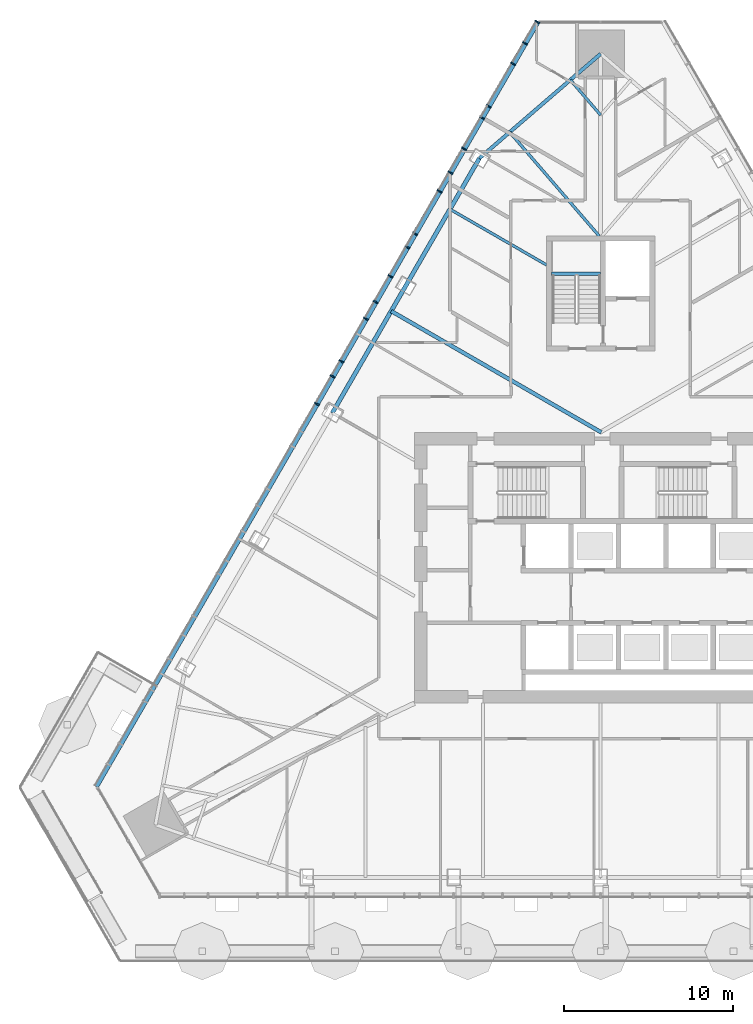
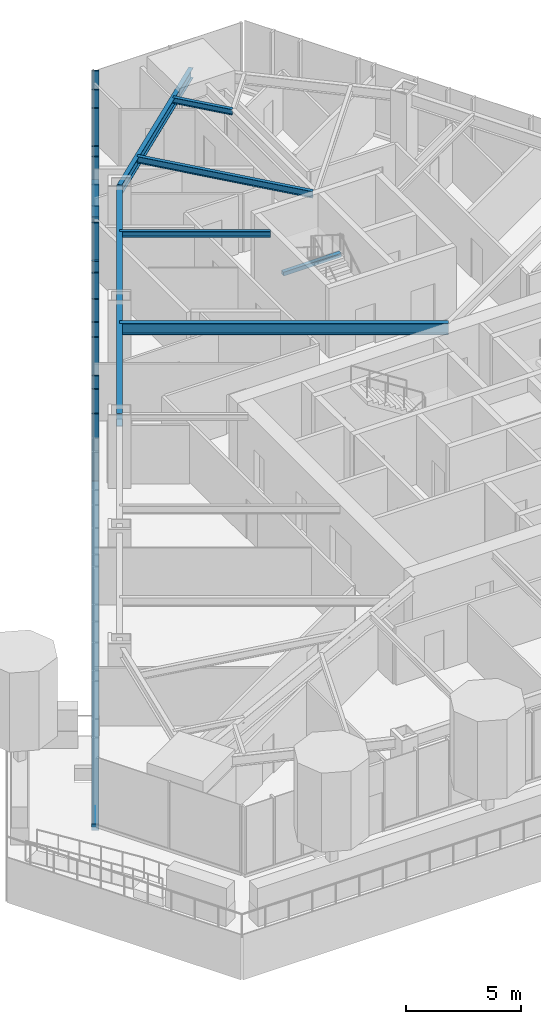
# One storey, part 6 of 24: 18 members, 7 beams, 1 element without a shape of its own.
"""IFC4 building model written with IfcOpenShell, lengths in metres."""

from ifc_helpers import new_model, si_unit, direction, frame, origin, origin_2d, place, context, subcontext, project, spatial, rectangle, i_section, extrude, material, layer, layer_set, material_profile, profile_set, type_object, element, aggregate, save


model = new_model("IFC4")

# Units and contexts
model_context = context("Model", 3, precision=1e-05, world=origin(), true_north=direction((0.0, 1.0)))
body_context = subcontext(model_context, "Body", "Model", "MODEL_VIEW")
ifc_project = project(units=[si_unit("LENGTHUNIT", "METRE"), si_unit("AREAUNIT", "SQUARE_METRE"), si_unit("VOLUMEUNIT", "CUBIC_METRE"), si_unit("PLANEANGLEUNIT", "RADIAN"), si_unit("MASSUNIT", "GRAM", prefix="KILO")], contexts=[model_context])

# Site, building, storey
site_placement = place(None, origin())
site = spatial("IfcSite", under=ifc_project, at=site_placement, CompositionType="ELEMENT")
building_placement = place(site_placement, origin())
building = spatial("IfcBuilding", under=site, at=building_placement, Name="Firuza Gate Tower and Library", CompositionType="ELEMENT")
storey_placement = place(building_placement, frame((0.0, 0.0, 194.800048828125)))
storey = spatial("IfcBuildingStorey", under=building, at=storey_placement, Name="L45", CompositionType="ELEMENT", Elevation=194.800048828125)

# Curtain wall, members
ifc_material_1 = material(Name="Aluminium 6063-T6", Category="aluminium")
ifc_layer = layer(ifc_material_1, 0.14990234375)
ifc_layer_set = layer_set([ifc_layer], Name="Unitised curtain wall, hotel")
curtain_wall_type = type_object("IfcCurtainWallType", Name="Unitised curtain wall, hotel", PredefinedType="NOTDEFINED", material=ifc_layer_set)
curtain_wall_placement = place(storey_placement, origin())
curtain_wall = element("IfcCurtainWall", 1, at=curtain_wall_placement, inside=storey, type_object=curtain_wall_type, Name="CW2 L45 W face", PredefinedType="NOTDEFINED")
ifc_material_2 = material(Name="Aluminium 6063-T6", Category="aluminium")
ifc_material_profile_1 = material_profile(ifc_material_2, rectangle(XDim=0.320068359375, YDim=0.080078125, at=origin_2d()))
ifc_profile_set_1 = profile_set([ifc_material_profile_1], Name="Aluminium 6063-T6")
member_type_1 = type_object("IfcMemberType", Name="Curtain wall mullion 80x320", PredefinedType="MULLION", material=ifc_profile_set_1)
member_1_placement = place(storey_placement, frame((71.26318359375, 107.249755859375, 0.14990234375), z_axis=(0.0, 0.0, 1.0), x_axis=(0.866025403784, -0.5, 0.0)))
member_1 = element("IfcMember", 2, at=member_1_placement, type_object=member_type_1, Name="Mullion", PredefinedType="MULLION", context=body_context, shape_type="SweptSolid", body=[
    extrude(rectangle(XDim=0.320068359375, YDim=0.080078125, at=origin_2d()), origin(), (0.0, 0.0, 1.0), 3.550048828125),
])
member_2_placement = place(storey_placement, frame((69.8330078125, 104.77294921875, 0.14990234375), z_axis=(0.0, 0.0, 1.0), x_axis=(0.866025403784, -0.5, 0.0)))
member_2 = element("IfcMember", 3, at=member_2_placement, type_object=member_type_1, Name="Mullion", PredefinedType="MULLION", context=body_context, shape_type="SweptSolid", body=[
    extrude(rectangle(XDim=0.320068359375, YDim=0.080078125, at=origin_2d()), origin(), (0.0, 0.0, 1.0), 3.550048828125),
])
member_3_placement = place(storey_placement, frame((68.383056640625, 102.26123046875, 0.14990234375), z_axis=(0.0, 0.0, 1.0), x_axis=(0.866025403784, -0.5, 0.0)))
member_3 = element("IfcMember", 4, at=member_3_placement, type_object=member_type_1, Name="Mullion", PredefinedType="MULLION", context=body_context, shape_type="SweptSolid", body=[
    extrude(rectangle(XDim=0.320068359375, YDim=0.080078125, at=origin_2d()), origin(), (0.0, 0.0, 1.0), 3.550048828125),
])
member_4_placement = place(storey_placement, frame((66.932861328125, 99.749755859375, 0.14990234375), z_axis=(0.0, 0.0, 1.0), x_axis=(0.866025403784, -0.5, 0.0)))
member_4 = element("IfcMember", 5, at=member_4_placement, type_object=member_type_1, Name="Mullion", PredefinedType="MULLION", context=body_context, shape_type="SweptSolid", body=[
    extrude(rectangle(XDim=0.320068359375, YDim=0.080078125, at=origin_2d()), origin(), (0.0, 0.0, 1.0), 3.550048828125),
])
member_5_placement = place(storey_placement, frame((65.48291015625, 97.23828125, 0.14990234375), z_axis=(0.0, 0.0, 1.0), x_axis=(0.866025403784, -0.5, 0.0)))
member_5 = element("IfcMember", 6, at=member_5_placement, type_object=member_type_1, Name="Mullion", PredefinedType="MULLION", context=body_context, shape_type="SweptSolid", body=[
    extrude(rectangle(XDim=0.320068359375, YDim=0.080078125, at=origin_2d()), origin(), (0.0, 0.0, 1.0), 3.550048828125),
])
member_6_placement = place(storey_placement, frame((64.032958984375, 94.726806640625, 0.14990234375), z_axis=(0.0, 0.0, 1.0), x_axis=(0.866025403784, -0.5, 0.0)))
member_6 = element("IfcMember", 7, at=member_6_placement, type_object=member_type_1, Name="Mullion", PredefinedType="MULLION", context=body_context, shape_type="SweptSolid", body=[
    extrude(rectangle(XDim=0.320068359375, YDim=0.080078125, at=origin_2d()), origin(), (0.0, 0.0, 1.0), 3.550048828125),
])
member_7_placement = place(storey_placement, frame((62.582763671875, 92.215087890625, 0.14990234375), z_axis=(0.0, 0.0, 1.0), x_axis=(0.866025403784, -0.5, 0.0)))
member_7 = element("IfcMember", 8, at=member_7_placement, type_object=member_type_1, Name="Mullion", PredefinedType="MULLION", context=body_context, shape_type="SweptSolid", body=[
    extrude(rectangle(XDim=0.320068359375, YDim=0.080078125, at=origin_2d()), origin(), (0.0, 0.0, 1.0), 3.550048828125),
])
member_8_placement = place(storey_placement, frame((61.1328125, 89.70361328125, 0.14990234375), z_axis=(0.0, 0.0, 1.0), x_axis=(0.866025403784, -0.5, 0.0)))
member_8 = element("IfcMember", 9, at=member_8_placement, type_object=member_type_1, Name="Mullion", PredefinedType="MULLION", context=body_context, shape_type="SweptSolid", body=[
    extrude(rectangle(XDim=0.320068359375, YDim=0.080078125, at=origin_2d()), origin(), (0.0, 0.0, 1.0), 3.550048828125),
])
member_9_placement = place(storey_placement, frame((59.682861328125, 87.192138671875, 0.14990234375), z_axis=(0.0, 0.0, 1.0), x_axis=(0.866025403784, -0.5, 0.0)))
member_9 = element("IfcMember", 10, at=member_9_placement, type_object=member_type_1, Name="Mullion", PredefinedType="MULLION", context=body_context, shape_type="SweptSolid", body=[
    extrude(rectangle(XDim=0.320068359375, YDim=0.080078125, at=origin_2d()), origin(), (0.0, 0.0, 1.0), 3.550048828125),
])
member_10_placement = place(storey_placement, frame((58.232666015625, 84.6806640625, 0.14990234375), z_axis=(0.0, 0.0, 1.0), x_axis=(0.866025403784, -0.5, 0.0)))
member_10 = element("IfcMember", 11, at=member_10_placement, type_object=member_type_1, Name="Mullion", PredefinedType="MULLION", context=body_context, shape_type="SweptSolid", body=[
    extrude(rectangle(XDim=0.320068359375, YDim=0.080078125, at=origin_2d()), origin(), (0.0, 0.0, 1.0), 3.550048828125),
])
member_11_placement = place(storey_placement, frame((70.532470703125, 105.984375, 0.14990234375), z_axis=(0.0, 0.0, 1.0), x_axis=(0.866025403784, -0.5, 0.0)))
member_11 = element("IfcMember", 12, at=member_11_placement, type_object=member_type_1, Name="Mullion", PredefinedType="MULLION", context=body_context, shape_type="SweptSolid", body=[
    extrude(rectangle(XDim=0.320068359375, YDim=0.080078125, at=origin_2d()), origin(), (0.0, 0.0, 1.0), 3.550048828125),
])
member_12_placement = place(storey_placement, frame((67.99267578125, 101.585205078125, 1.96484375), z_axis=(0.0, 0.0, 1.0), x_axis=(0.866025403784, -0.5, 0.0)))
member_12 = element("IfcMember", 13, at=member_12_placement, type_object=member_type_1, Name="Mullion", PredefinedType="MULLION", context=body_context, shape_type="SweptSolid", body=[
    extrude(rectangle(XDim=0.320068359375, YDim=0.080078125, at=origin_2d()), origin(), (0.0, 0.0, 1.0), 1.735107421875),
])
member_13_placement = place(storey_placement, frame((66.12060546875, 98.3427734375, 0.14990234375), z_axis=(0.0, 0.0, 1.0), x_axis=(0.866025403784, -0.5, 0.0)))
member_13 = element("IfcMember", 14, at=member_13_placement, type_object=member_type_1, Name="Mullion", PredefinedType="MULLION", context=body_context, shape_type="SweptSolid", body=[
    extrude(rectangle(XDim=0.320068359375, YDim=0.080078125, at=origin_2d()), origin(), (0.0, 0.0, 1.0), 3.550048828125),
])
member_14_placement = place(storey_placement, frame((63.58056640625, 93.943359375, 0.14990234375), z_axis=(0.0, 0.0, 1.0), x_axis=(0.866025403784, -0.5, 0.0)))
member_14 = element("IfcMember", 15, at=member_14_placement, type_object=member_type_1, Name="Mullion", PredefinedType="MULLION", context=body_context, shape_type="SweptSolid", body=[
    extrude(rectangle(XDim=0.320068359375, YDim=0.080078125, at=origin_2d()), origin(), (0.0, 0.0, 1.0), 3.550048828125),
])
member_15_placement = place(storey_placement, frame((61.708740234375, 90.701171875, 0.14990234375), z_axis=(0.0, 0.0, 1.0), x_axis=(0.866025403784, -0.5, 0.0)))
member_15 = element("IfcMember", 16, at=member_15_placement, type_object=member_type_1, Name="Mullion", PredefinedType="MULLION", context=body_context, shape_type="SweptSolid", body=[
    extrude(rectangle(XDim=0.320068359375, YDim=0.080078125, at=origin_2d()), origin(), (0.0, 0.0, 1.0), 3.550048828125),
])
member_16_placement = place(storey_placement, frame((59.168701171875, 86.3017578125, 0.14990234375), z_axis=(0.0, 0.0, 1.0), x_axis=(0.866025403784, -0.5, 0.0)))
member_16 = element("IfcMember", 17, at=member_16_placement, type_object=member_type_1, Name="Mullion", PredefinedType="MULLION", context=body_context, shape_type="SweptSolid", body=[
    extrude(rectangle(XDim=0.320068359375, YDim=0.080078125, at=origin_2d()), origin(), (0.0, 0.0, 1.0), 3.550048828125),
])
ifc_material_3 = material(Name="Aluminium 6063-T6", Category="aluminium")
ifc_material_profile_2 = material_profile(ifc_material_3, rectangle(XDim=0.320068359375, YDim=0.35009765625, at=origin_2d()))
ifc_profile_set_2 = profile_set([ifc_material_profile_2], Name="Aluminium 6063-T6")
member_type_2 = type_object("IfcMemberType", Name="Curtain wall transom 350x320", PredefinedType="USERDEFINED", material=ifc_profile_set_2)
member_17_placement = place(storey_placement, frame((71.283203125, 107.284423828125, -0.025146484375), z_axis=(-0.500001660192, -0.86602444527, 0.0), x_axis=(0.86602444527, -0.500001660192, 0.0)))
member_17 = element("IfcMember", 18, at=member_17_placement, type_object=member_type_2, Name="Transom", ObjectType="TRANSOM", PredefinedType="USERDEFINED", context=body_context, shape_type="SweptSolid", body=[
    extrude(rectangle(XDim=0.320068359375, YDim=0.35009765625, at=origin_2d()), origin(), (0.0, 0.0, 1.0), 52.201416015625),
])
ifc_material_4 = material(Name="Aluminium 6063-T6", Category="aluminium")
ifc_material_profile_3 = material_profile(ifc_material_4, rectangle(XDim=0.320068359375, YDim=0.080078125, at=origin_2d()))
ifc_profile_set_3 = profile_set([ifc_material_profile_3], Name="Aluminium 6063-T6")
member_type_3 = type_object("IfcMemberType", Name="Curtain wall transom 80x320", PredefinedType="USERDEFINED", material=ifc_profile_set_3)
member_18_placement = place(storey_placement, frame((68.363037109375, 102.226806640625, 1.925048828125), z_axis=(-0.500012199891, -0.86601836006, 0.0), x_axis=(0.86601836006, -0.500012199891, 0.0)))
member_18 = element("IfcMember", 19, at=member_18_placement, type_object=member_type_3, Name="Transom", ObjectType="TRANSOM", PredefinedType="USERDEFINED", context=body_context, shape_type="SweptSolid", body=[
    extrude(rectangle(XDim=0.320068359375, YDim=0.080078125, at=origin_2d()), origin(), (0.0, 0.0, 1.0), 2.8203125),
])
aggregate(curtain_wall, [member_1, member_2, member_3, member_4, member_5, member_6, member_7, member_8, member_9, member_10, member_17, member_11, member_12, member_18, member_13, member_14, member_15, member_16])

# Beams
ifc_material_5 = material(Name="Concrete C35/45", Category="concrete")
ifc_material_profile_4 = material_profile(ifc_material_5, rectangle(XDim=0.199951171875, YDim=0.199951171875, at=origin_2d()))
ifc_profile_set_4 = profile_set([ifc_material_profile_4], Name="Concrete C35/45")
beam_type_1 = type_object("IfcBeamType", Name="Stair landing bearer 200x200", PredefinedType="BEAM", material=ifc_profile_set_4)
beam_1_placement = place(storey_placement, frame((75.0, 92.3701171875, 1.64990234375), z_axis=(-1.0, 0.0, 0.0), x_axis=(0.0, -1.0, 0.0)))
element("IfcBeam", 20, at=beam_1_placement, inside=storey, type_object=beam_type_1, Name="Landing bearer L45 stair 3", PredefinedType="BEAM", context=body_context, shape_type="SweptSolid", body=[
    extrude(rectangle(XDim=0.199951171875, YDim=0.199951171875, at=origin_2d()), origin(), (0.0, 0.0, 1.0), 2.89990234375),
])
ifc_material_6 = material(Name="Steel S355", Category="steel")
ifc_material_profile_5 = material_profile(ifc_material_6, i_section(OverallWidth=0.1650390625, OverallDepth=0.31005859375, WebThickness=0.005859375, FlangeThickness=0.009765625, at=origin_2d()))
ifc_profile_set_5 = profile_set([ifc_material_profile_5], Name="Steel S355")
beam_type_2 = type_object("IfcBeamType", Name="W310x39 Floor beam", PredefinedType="JOIST", material=ifc_profile_set_5)
beam_2_placement = place(storey_placement, frame((73.209228515625, 103.823974609375, 3.544921875), z_axis=(0.652701953737, -0.757614783111, 0.0), x_axis=(0.757614783111, 0.652701953737, 0.0)))
element("IfcBeam", 21, at=beam_2_placement, inside=storey, type_object=beam_type_2, Name="Floor beam L45 s70", PredefinedType="JOIST", context=body_context, shape_type="SweptSolid", body=[
    extrude(i_section(OverallWidth=0.1650390625, OverallDepth=0.31005859375, WebThickness=0.005859375, FlangeThickness=0.009765625, at=origin_2d()), origin(), (0.0, 0.0, 1.0), 2.74365234375),
])
beam_3_placement = place(storey_placement, frame((66.099365234375, 96.18603515625, 3.544921875), z_axis=(0.866027472073, -0.499996417602, 0.0), x_axis=(0.499996417602, 0.866027472073, 0.0)))
element("IfcBeam", 22, at=beam_3_placement, inside=storey, type_object=beam_type_2, Name="Floor beam L45 s80", PredefinedType="JOIST", context=body_context, shape_type="SweptSolid", body=[
    extrude(i_section(OverallWidth=0.1650390625, OverallDepth=0.31005859375, WebThickness=0.005859375, FlangeThickness=0.009765625, at=origin_2d()), origin(), (0.0, 0.0, 1.0), 6.58251953125),
])
ifc_material_7 = material(Name="Steel S355", Category="steel")
ifc_material_profile_6 = material_profile(ifc_material_7, i_section(OverallWidth=0.1708984375, OverallDepth=0.35498046875, WebThickness=0.007080078125, FlangeThickness=0.01171875, at=origin_2d()))
ifc_profile_set_6 = profile_set([ifc_material_profile_6], Name="Steel S355")
beam_type_3 = type_object("IfcBeamType", Name="W360x51 Floor beam", PredefinedType="JOIST", material=ifc_profile_set_6)
beam_4_placement = place(storey_placement, frame((69.62744140625, 100.73779296875, 3.5224609375), z_axis=(0.65274228711, -0.757580033144, 0.0), x_axis=(0.757580033144, 0.65274228711, 0.0)))
element("IfcBeam", 23, at=beam_4_placement, inside=storey, type_object=beam_type_3, Name="Floor beam L45 s71", PredefinedType="JOIST", context=body_context, shape_type="SweptSolid", body=[
    extrude(i_section(OverallWidth=0.1708984375, OverallDepth=0.35498046875, WebThickness=0.007080078125, FlangeThickness=0.01171875, at=origin_2d()), origin(), (0.0, 0.0, 1.0), 8.101806640625),
])
ifc_material_8 = material(Name="Steel S355", Category="steel")
ifc_material_profile_7 = material_profile(ifc_material_8, i_section(OverallWidth=0.212890625, OverallDepth=0.5390625, WebThickness=0.01171875, FlangeThickness=0.018798828125, at=origin_2d()))
ifc_profile_set_7 = profile_set([ifc_material_profile_7], Name="Steel S355")
beam_type_4 = type_object("IfcBeamType", Name="W530x109 Edge beam", PredefinedType="SPANDREL", material=ifc_profile_set_7)
beam_5_placement = place(storey_placement, frame((75.0, 105.366943359375, 3.430419921875), z_axis=(-0.757586494154, -0.652734788314, 0.0), x_axis=(0.652734788314, -0.757586494154, 0.0)))
element("IfcBeam", 24, at=beam_5_placement, inside=storey, type_object=beam_type_4, Name="Edge beam L45 e70", PredefinedType="SPANDREL", context=body_context, shape_type="SweptSolid", body=[
    extrude(i_section(OverallWidth=0.212890625, OverallDepth=0.5390625, WebThickness=0.01171875, FlangeThickness=0.018798828125, at=origin_2d()), origin(), (0.0, 0.0, 1.0), 9.455810546875),
])
ifc_material_9 = material(Name="Steel S355", Category="steel")
ifc_material_profile_8 = material_profile(ifc_material_9, i_section(OverallWidth=0.22802734375, OverallDepth=0.60302734375, WebThickness=0.010498046875, FlangeThickness=0.014892578125, at=origin_2d()))
ifc_profile_set_8 = profile_set([ifc_material_profile_8], Name="Steel S355")
beam_type_5 = type_object("IfcBeamType", Name="W610x101 Floor beam", PredefinedType="JOIST", material=ifc_profile_set_8)
beam_6_placement = place(storey_placement, frame((62.625, 90.168212890625, 3.3984375), z_axis=(0.866026494677, -0.499998110514, 0.0), x_axis=(0.499998110514, 0.866026494677, 0.0)))
element("IfcBeam", 25, at=beam_6_placement, inside=storey, type_object=beam_type_5, Name="Floor beam L45 s81", PredefinedType="JOIST", context=body_context, shape_type="SweptSolid", body=[
    extrude(i_section(OverallWidth=0.22802734375, OverallDepth=0.60302734375, WebThickness=0.010498046875, FlangeThickness=0.014892578125, at=origin_2d()), origin(), (0.0, 0.0, 1.0), 14.33642578125),
])
ifc_material_10 = material(Name="Steel S355", Category="steel")
ifc_material_profile_9 = material_profile(ifc_material_10, i_section(OverallWidth=0.2529296875, OverallDepth=0.677978515625, WebThickness=0.01171875, FlangeThickness=0.016357421875, at=origin_2d()))
ifc_profile_set_9 = profile_set([ifc_material_profile_9], Name="Steel S355")
beam_type_6 = type_object("IfcBeamType", Name="W690x125 Edge beam", PredefinedType="SPANDREL", material=ifc_profile_set_9)
beam_7_placement = place(storey_placement, frame((67.83642578125, 99.19482421875, 3.36083984375), z_axis=(-0.500001044169, -0.866024800932, 0.0), x_axis=(0.866024800932, -0.500001044169, 0.0)))
element("IfcBeam", 26, at=beam_7_placement, inside=storey, type_object=beam_type_6, Name="Edge beam L45 e80", PredefinedType="SPANDREL", context=body_context, shape_type="SweptSolid", body=[
    extrude(i_section(OverallWidth=0.2529296875, OverallDepth=0.677978515625, WebThickness=0.01171875, FlangeThickness=0.016357421875, at=origin_2d()), origin(), (0.0, 0.0, 1.0), 17.37158203125),
])

save(model, "model.ifc")
